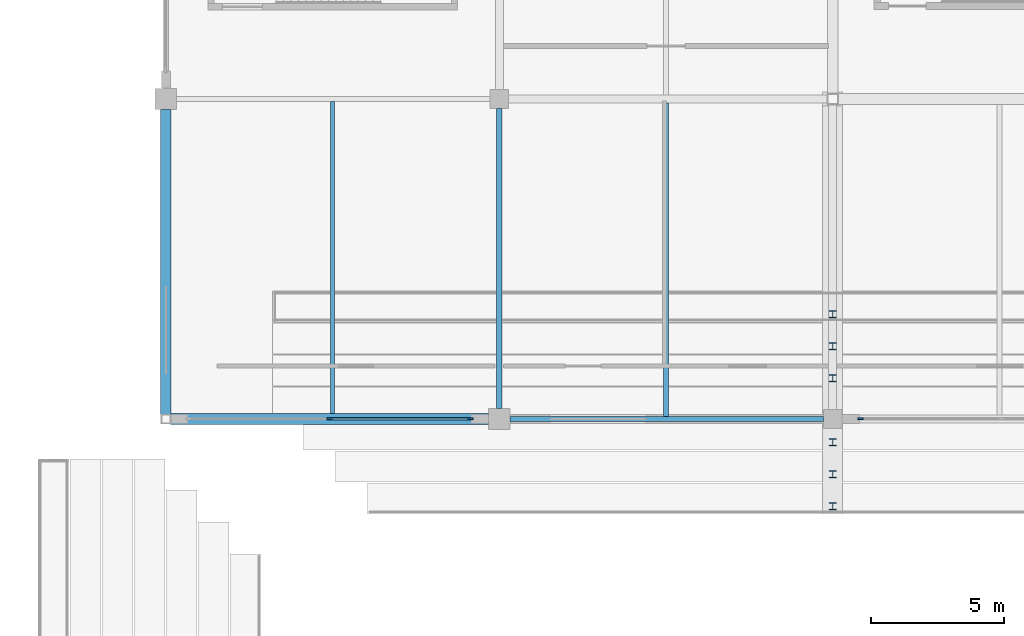
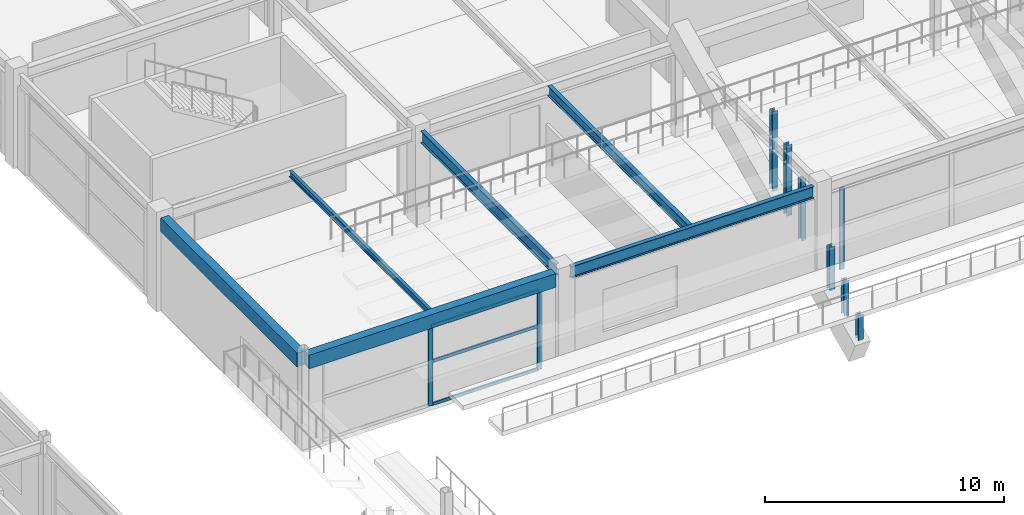
# One storey, part 42 of 128: 12 members, 6 beams, 2 elements without a shape of their own.
"""IFC4 building model written with IfcOpenShell, lengths in metres."""

from ifc_helpers import new_model, si_unit, direction, frame, origin, origin_2d, place, context, subcontext, project, spatial, rectangle, i_section, extrude, material, layer, layer_set, material_profile, profile_set, type_object, element, aggregate, save


model = new_model("IFC4")

# Units and contexts
model_context = context("Model", 3, precision=1e-05, world=origin(), true_north=direction((0.0, 1.0)))
body_context = subcontext(model_context, "Body", "Model", "MODEL_VIEW")
ifc_project = project(units=[si_unit("LENGTHUNIT", "METRE"), si_unit("AREAUNIT", "SQUARE_METRE"), si_unit("VOLUMEUNIT", "CUBIC_METRE"), si_unit("PLANEANGLEUNIT", "RADIAN"), si_unit("MASSUNIT", "GRAM", prefix="KILO")], contexts=[model_context])

# Site, building, storey
site_placement = place(None, origin())
site = spatial("IfcSite", under=ifc_project, at=site_placement, CompositionType="ELEMENT")
building_placement = place(site_placement, origin())
building = spatial("IfcBuilding", under=site, at=building_placement, Name="Kazenohara Klinker Stadium", CompositionType="ELEMENT")
storey_placement = place(building_placement, frame((0.0, 0.0, 15.300048828125)))
storey = spatial("IfcBuildingStorey", under=building, at=storey_placement, Name="L03", CompositionType="ELEMENT", Elevation=15.300048828125)

# Beams
ifc_material_1 = material(Name="Steel S355", Category="steel")
ifc_material_profile_1 = material_profile(ifc_material_1, i_section(OverallWidth=0.199951171875, OverallDepth=0.5, WebThickness=0.010009765625, FlangeThickness=0.01611328125, FilletRadius=0.012939453125, at=origin_2d()), Name="H-500x200x10x16")
ifc_profile_set_1 = profile_set([ifc_material_profile_1], Name="Steel S355")
beam_type_1 = type_object("IfcBeamType", Name="BM-JST01", PredefinedType="JOIST", material=ifc_profile_set_1)
beam_1_placement = place(storey_placement, frame((67.75, 132.10009765625, 4.510009765625), z_axis=(0.0, 1.0, 0.0), x_axis=(-1.0, 0.0, 0.0)))
element("IfcBeam", 1, at=beam_1_placement, inside=storey, type_object=beam_type_1, Name="Secondary floor joist SJ01 L03 6/M", PredefinedType="JOIST", context=body_context, shape_type="SweptSolid", body=[
    extrude(i_section(OverallWidth=0.199951171875, OverallDepth=0.5, WebThickness=0.010009765625, FlangeThickness=0.01611328125, FilletRadius=0.012939453125, at=origin_2d()), origin(), (0.0, 0.0, 1.0), 11.75),
])
ifc_material_profile_2 = material_profile(ifc_material_1, i_section(OverallWidth=0.14990234375, OverallDepth=0.300048828125, WebThickness=0.006591796875, FlangeThickness=0.009033203125, FilletRadius=0.012939453125, at=origin_2d()), Name="H-300x150x6.5x9")
ifc_profile_set_2 = profile_set([ifc_material_profile_2], Name="Steel S355")
beam_type_2 = type_object("IfcBeamType", Name="BM-JST05", PredefinedType="JOIST", material=ifc_profile_set_2)
beam_2_placement = place(storey_placement, frame((55.25, 132.199951171875, 4.60986328125), z_axis=(0.0, 1.0, 0.0), x_axis=(-1.0, 0.0, 0.0)))
element("IfcBeam", 2, at=beam_2_placement, inside=storey, type_object=beam_type_2, Name="Secondary floor joist SJ05 L03 5/M", PredefinedType="JOIST", context=body_context, shape_type="SweptSolid", body=[
    extrude(i_section(OverallWidth=0.14990234375, OverallDepth=0.300048828125, WebThickness=0.006591796875, FlangeThickness=0.009033203125, FilletRadius=0.012939453125, at=origin_2d()), origin(), (0.0, 0.0, 1.0), 11.699951171875),
])
ifc_material_2 = material(Name="Concrete C40/50", Category="concrete")
ifc_material_profile_3 = material_profile(ifc_material_2, rectangle(XDim=0.39990234375, YDim=0.699951171875, at=origin_2d()), Name="RC-BM-400x700")
ifc_profile_set_3 = profile_set([ifc_material_profile_3], Name="Concrete C40/50")
beam_type_3 = type_object("IfcBeamType", Name="BM-RC04", PredefinedType="BEAM", material=ifc_profile_set_3)
beam_3_placement = place(storey_placement, frame((49.175048828125, 132.0, 4.409912109375), z_axis=(1.0, 0.0, 0.0), x_axis=(0.0, 1.0, 0.0)))
element("IfcBeam", 3, at=beam_3_placement, inside=storey, type_object=beam_type_3, Name="Primary girder BG04 L03 5-6/M", PredefinedType="BEAM", context=body_context, shape_type="SweptSolid", body=[
    extrude(rectangle(XDim=0.39990234375, YDim=0.699951171875, at=origin_2d()), origin(), (0.0, 0.0, 1.0), 11.925048828125),
])
beam_4_placement = place(storey_placement, frame((49.0, 132.175048828125, 4.409912109375), z_axis=(0.0, 1.0, 0.0), x_axis=(-1.0, 0.0, 0.0)))
element("IfcBeam", 4, at=beam_4_placement, inside=storey, type_object=beam_type_3, Name="Primary girder BG04 L03 5/M-N", PredefinedType="BEAM", context=body_context, shape_type="SweptSolid", body=[
    extrude(rectangle(XDim=0.39990234375, YDim=0.699951171875, at=origin_2d()), origin(), (0.0, 0.0, 1.0), 11.425048828125),
])
ifc_material_profile_4 = material_profile(ifc_material_1, i_section(OverallWidth=0.199951171875, OverallDepth=0.60009765625, WebThickness=0.010986328125, FlangeThickness=0.01708984375, FilletRadius=0.012939453125, at=origin_2d()), Name="H-600x200x11x17")
ifc_profile_set_4 = profile_set([ifc_material_profile_4], Name="Steel S355")
beam_type_4 = type_object("IfcBeamType", Name="BM-ST04", PredefinedType="BEAM", material=ifc_profile_set_4)
beam_5_placement = place(storey_placement, frame((61.89990234375, 132.0, 4.4599609375), z_axis=(1.0, 0.0, 0.0), x_axis=(0.0, 1.0, 0.0)))
element("IfcBeam", 5, at=beam_5_placement, inside=storey, type_object=beam_type_4, Name="Primary girder SB04 L03 6-7/M", PredefinedType="BEAM", context=body_context, shape_type="SweptSolid", body=[
    extrude(i_section(OverallWidth=0.199951171875, OverallDepth=0.60009765625, WebThickness=0.010986328125, FlangeThickness=0.01708984375, FilletRadius=0.012939453125, at=origin_2d()), origin(), (0.0, 0.0, 1.0), 11.75),
])
beam_6_placement = place(storey_placement, frame((61.5, 132.39990234375, 4.4599609375), z_axis=(0.0, 1.0, 0.0), x_axis=(-1.0, 0.0, 0.0)))
element("IfcBeam", 6, at=beam_6_placement, inside=storey, type_object=beam_type_4, Name="Primary girder SB04 L03 6/M-N", PredefinedType="BEAM", context=body_context, shape_type="SweptSolid", body=[
    extrude(i_section(OverallWidth=0.199951171875, OverallDepth=0.60009765625, WebThickness=0.010986328125, FlangeThickness=0.01708984375, FilletRadius=0.012939453125, at=origin_2d()), origin(), (0.0, 0.0, 1.0), 11.25),
])

# Curtain wall, members
ifc_material_3 = material(Name="Anodised aluminium and triple glazing", Category="aluminium")
ifc_layer = layer(ifc_material_3, 0.169921875)
ifc_layer_set = layer_set([ifc_layer], Name="Anodised aluminium and triple glazing")
curtain_wall_type = type_object("IfcCurtainWallType", Name="CW-SYS-04", PredefinedType="USERDEFINED", material=ifc_layer_set)
curtain_wall_1_placement = place(storey_placement, origin())
curtain_wall_1 = element("IfcCurtainWall", 7, at=curtain_wall_1_placement, inside=storey, type_object=curtain_wall_type, Name="Unitised facade curtain wall CW04 L03 X4-11", ObjectType="UNITISED CURTAIN WALL", PredefinedType="USERDEFINED")
ifc_material_4 = material(Name="Anodised aluminium 6063-T6", Category="aluminium")
ifc_material_profile_5 = material_profile(ifc_material_4, rectangle(XDim=0.074951171875, YDim=0.219970703125, at=origin_2d()), Name="ALU-MUL-75x220")
ifc_profile_set_5 = profile_set([ifc_material_profile_5], Name="Anodised aluminium 6063-T6")
member_type_1 = type_object("IfcMemberType", Name="CW-MUL-220", PredefinedType="MULLION", material=ifc_profile_set_5)
member_1_placement = place(storey_placement, frame((55.137451171875, 132.0, 0.0), z_axis=(0.0, 0.0, 1.0), x_axis=(0.0, 1.0, 0.0)))
member_1 = element("IfcMember", 8, at=member_1_placement, type_object=member_type_1, Name="CW04 mullion 2", PredefinedType="MULLION", context=body_context, shape_type="SweptSolid", body=[
    extrude(rectangle(XDim=0.074951171875, YDim=0.219970703125, at=origin_2d()), origin(), (0.0, 0.0, 1.0), 4.06005859375),
])
member_2_placement = place(storey_placement, frame((60.408447265625, 132.0, 0.0), z_axis=(0.0, 0.0, 1.0), x_axis=(0.0, 1.0, 0.0)))
member_2 = element("IfcMember", 9, at=member_2_placement, type_object=member_type_1, Name="CW04 mullion 3", PredefinedType="MULLION", context=body_context, shape_type="SweptSolid", body=[
    extrude(rectangle(XDim=0.074951171875, YDim=0.219970703125, at=origin_2d()), origin(), (0.0, 0.0, 1.0), 4.06005859375),
])

# Curtain wall, member
curtain_wall_2_placement = place(storey_placement, origin())
curtain_wall_2 = element("IfcCurtainWall", 10, at=curtain_wall_2_placement, inside=storey, type_object=curtain_wall_type, Name="Unitised facade curtain wall CW04 L03 X6-11", ObjectType="UNITISED CURTAIN WALL", PredefinedType="USERDEFINED")
member_3_placement = place(storey_placement, frame((75.04150390625, 132.0, 0.0), z_axis=(0.0, 0.0, 1.0), x_axis=(0.0, 1.0, 0.0)))
member_3 = element("IfcMember", 11, at=member_3_placement, type_object=member_type_1, Name="CW04 mullion 1", PredefinedType="MULLION", context=body_context, shape_type="SweptSolid", body=[
    extrude(rectangle(XDim=0.074951171875, YDim=0.219970703125, at=origin_2d()), origin(), (0.0, 0.0, 1.0), 4.171875),
])
aggregate(curtain_wall_2, [member_3])

# Member
ifc_material_profile_6 = material_profile(ifc_material_4, rectangle(XDim=0.074951171875, YDim=0.159912109375, at=origin_2d()), Name="ALU-TRN-75x160")
ifc_profile_set_6 = profile_set([ifc_material_profile_6], Name="Anodised aluminium 6063-T6")
member_type_2 = type_object("IfcMemberType", Name="CW-TRN-160", PredefinedType="USERDEFINED", material=ifc_profile_set_6)
member_4_placement = place(storey_placement, frame((55.175048828125, 132.0, 0.037353515625), z_axis=(1.0, 0.0, 0.0), x_axis=(0.0, 1.0, 0.0)))
member_4 = element("IfcMember", 12, at=member_4_placement, type_object=member_type_2, Name="CW04 transom 2.1", ObjectType="TRANSOM", PredefinedType="USERDEFINED", context=body_context, shape_type="SweptSolid", body=[
    extrude(rectangle(XDim=0.074951171875, YDim=0.159912109375, at=origin_2d()), origin(), (0.0, 0.0, 1.0), 5.196044921875),
])

member_5_placement = place(storey_placement, frame((55.175048828125, 132.0, 2.23291015625), z_axis=(1.0, 0.0, 0.0), x_axis=(0.0, 1.0, 0.0)))
member_5 = element("IfcMember", 13, at=member_5_placement, type_object=member_type_2, Name="CW04 transom 2.2", ObjectType="TRANSOM", PredefinedType="USERDEFINED", context=body_context, shape_type="SweptSolid", body=[
    extrude(rectangle(XDim=0.074951171875, YDim=0.159912109375, at=origin_2d()), origin(), (0.0, 0.0, 1.0), 5.196044921875),
])

member_6_placement = place(storey_placement, frame((55.175048828125, 132.0, 4.0224609375), z_axis=(1.0, 0.0, 0.0), x_axis=(0.0, 1.0, 0.0)))
member_6 = element("IfcMember", 14, at=member_6_placement, type_object=member_type_2, Name="CW04 transom 2.3", ObjectType="TRANSOM", PredefinedType="USERDEFINED", context=body_context, shape_type="SweptSolid", body=[
    extrude(rectangle(XDim=0.074951171875, YDim=0.159912109375, at=origin_2d()), origin(), (0.0, 0.0, 1.0), 5.196044921875),
])

aggregate(curtain_wall_1, [member_1, member_2, member_4, member_5, member_6])

# Members
ifc_material_profile_7 = material_profile(ifc_material_1, i_section(OverallWidth=0.25, OverallDepth=0.25, WebThickness=0.009033203125, FlangeThickness=0.013916015625, FilletRadius=0.012939453125, at=origin_2d()), Name="H-250x250x9x14")
ifc_profile_set_7 = profile_set([ifc_material_profile_7], Name="Steel S355")
member_type_3 = type_object("IfcMemberType", Name="MEM-STR02", PredefinedType="STRUT", material=ifc_profile_set_7)
member_7_placement = place(storey_placement, frame((74.0, 135.929931640625, 2.04541015625), z_axis=(0.0, 0.0, 1.0), x_axis=(1.0, 0.0, 0.0)))
element("IfcMember", 15, at=member_7_placement, inside=storey, type_object=member_type_3, Name="Precast tier riser stool UPPER-N-01-06", PredefinedType="STRUT", context=body_context, shape_type="SweptSolid", body=[
    extrude(i_section(OverallWidth=0.25, OverallDepth=0.25, WebThickness=0.009033203125, FlangeThickness=0.013916015625, FilletRadius=0.012939453125, at=origin_2d()), origin(), (0.0, 0.0, 1.0), 4.074462890625),
])
member_8_placement = place(storey_placement, frame((74.0, 134.72998046875, 1.49853515625), z_axis=(0.0, 0.0, 1.0), x_axis=(1.0, 0.0, 0.0)))
element("IfcMember", 16, at=member_8_placement, inside=storey, type_object=member_type_3, Name="Precast tier riser stool UPPER-N-02-06", PredefinedType="STRUT", context=body_context, shape_type="SweptSolid", body=[
    extrude(i_section(OverallWidth=0.25, OverallDepth=0.25, WebThickness=0.009033203125, FlangeThickness=0.013916015625, FilletRadius=0.012939453125, at=origin_2d()), origin(), (0.0, 0.0, 1.0), 3.613037109375),
])
member_9_placement = place(storey_placement, frame((74.0, 133.530029296875, 0.95166015625), z_axis=(0.0, 0.0, 1.0), x_axis=(1.0, 0.0, 0.0)))
element("IfcMember", 17, at=member_9_placement, inside=storey, type_object=member_type_3, Name="Precast tier riser stool UPPER-N-03-06", PredefinedType="STRUT", context=body_context, shape_type="SweptSolid", body=[
    extrude(i_section(OverallWidth=0.25, OverallDepth=0.25, WebThickness=0.009033203125, FlangeThickness=0.013916015625, FilletRadius=0.012939453125, at=origin_2d()), origin(), (0.0, 0.0, 1.0), 3.151611328125),
])
member_10_placement = place(storey_placement, frame((74.0, 131.1298828125, -0.141845703125), z_axis=(0.0, 0.0, 1.0), x_axis=(1.0, 0.0, 0.0)))
element("IfcMember", 18, at=member_10_placement, inside=storey, type_object=member_type_3, Name="Precast tier riser stool UPPER-N-05-06", PredefinedType="STRUT", context=body_context, shape_type="SweptSolid", body=[
    extrude(i_section(OverallWidth=0.25, OverallDepth=0.25, WebThickness=0.009033203125, FlangeThickness=0.013916015625, FilletRadius=0.012939453125, at=origin_2d()), origin(), (0.0, 0.0, 1.0), 2.228515625),
])
member_11_placement = place(storey_placement, frame((74.0, 129.929931640625, -0.68896484375), z_axis=(0.0, 0.0, 1.0), x_axis=(1.0, 0.0, 0.0)))
element("IfcMember", 19, at=member_11_placement, inside=storey, type_object=member_type_3, Name="Precast tier riser stool UPPER-N-06-06", PredefinedType="STRUT", context=body_context, shape_type="SweptSolid", body=[
    extrude(i_section(OverallWidth=0.25, OverallDepth=0.25, WebThickness=0.009033203125, FlangeThickness=0.013916015625, FilletRadius=0.012939453125, at=origin_2d()), origin(), (0.0, 0.0, 1.0), 1.767333984375),
])
member_12_placement = place(storey_placement, frame((74.0, 128.72998046875, -1.235595703125), z_axis=(0.0, 0.0, 1.0), x_axis=(1.0, 0.0, 0.0)))
element("IfcMember", 20, at=member_12_placement, inside=storey, type_object=member_type_3, Name="Precast tier riser stool UPPER-N-07-06", PredefinedType="STRUT", context=body_context, shape_type="SweptSolid", body=[
    extrude(i_section(OverallWidth=0.25, OverallDepth=0.25, WebThickness=0.009033203125, FlangeThickness=0.013916015625, FilletRadius=0.012939453125, at=origin_2d()), origin(), (0.0, 0.0, 1.0), 1.3056640625),
])

save(model, "model.ifc")
